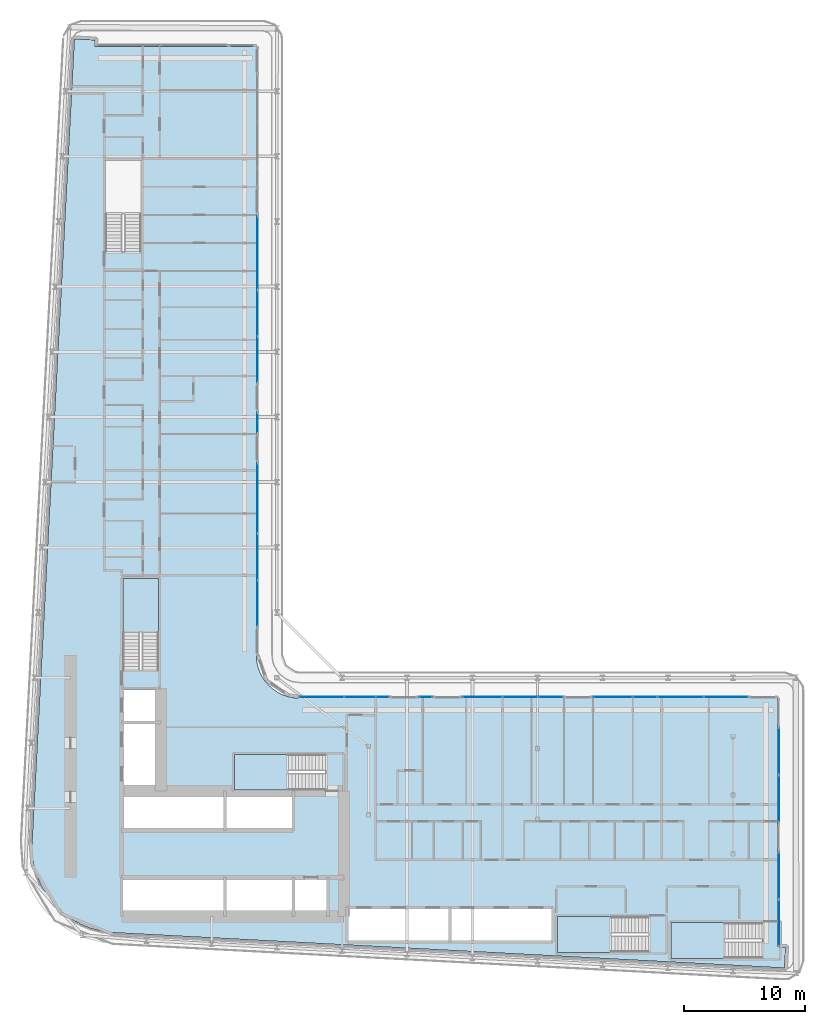
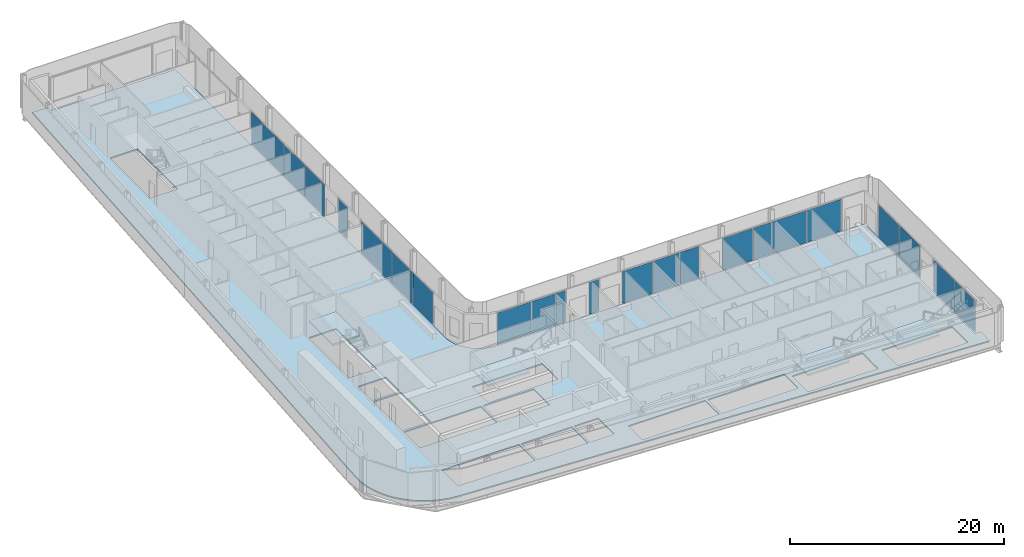
# One storey, part 9 of 24: 22 plates, 5 slabs, 17 elements without a shape of their own.
"""IFC4 building model written with IfcOpenShell, lengths in metres."""

from ifc_helpers import new_model, si_unit, direction, frame, origin, origin_2d, place, context, subcontext, project, spatial, polyline, rectangle, outline, extrude, material, layer, layer_set, type_object, element, aggregate, save


model = new_model("IFC4")

# Units and contexts
model_context = context("Model", 3, precision=1e-05, world=origin(), true_north=direction((0.0, 1.0)))
body_context = subcontext(model_context, "Body", "Model", "MODEL_VIEW")
ifc_project = project(units=[si_unit("LENGTHUNIT", "METRE"), si_unit("AREAUNIT", "SQUARE_METRE"), si_unit("VOLUMEUNIT", "CUBIC_METRE"), si_unit("PLANEANGLEUNIT", "RADIAN"), si_unit("MASSUNIT", "GRAM", prefix="KILO")], contexts=[model_context])

# Site, building, storey
site_placement = place(None, origin())
site = spatial("IfcSite", under=ifc_project, at=site_placement, CompositionType="ELEMENT")
building_placement = place(site_placement, origin())
building = spatial("IfcBuilding", under=site, at=building_placement, Name="Kheshtan School and Residences Tower", CompositionType="ELEMENT")
storey_placement = place(building_placement, frame((0.0, 0.0, 38.300048828125)))
storey = spatial("IfcBuildingStorey", under=building, at=storey_placement, Name="L08", CompositionType="ELEMENT", Elevation=38.300048828125)

# Curtain wall, plate
ifc_material_1 = material(Name="Clear low-e glass in thermally broken aluminium frame", Category="aluminium")
ifc_layer_1 = layer(ifc_material_1, 0.199951171875)
ifc_layer_set_1 = layer_set([ifc_layer_1], Name="Curtain wall CW-L")
curtain_wall_type = type_object("IfcCurtainWallType", Name="Curtain wall CW-L", PredefinedType="NOTDEFINED", material=ifc_layer_set_1)
curtain_wall_1_placement = place(storey_placement, origin())
curtain_wall_1 = element("IfcCurtainWall", 1, at=curtain_wall_1_placement, inside=storey, type_object=curtain_wall_type, Name="Curtain wall CWL8d", PredefinedType="NOTDEFINED")
ifc_layer_2 = layer(ifc_material_1, 0.031982421875)
ifc_layer_set_2 = layer_set([ifc_layer_2], Name="CW-L glass panel")
plate_type = type_object("IfcPlateType", Name="CW-L glass panel", PredefinedType="CURTAIN_PANEL", material=ifc_layer_set_2)
plate_1_placement = place(storey_placement, frame((46.0, 80.80908203125, 0.0), z_axis=(0.0, 0.0, 1.0), x_axis=(0.0, -1.0, 0.0)))
plate_1 = element("IfcPlate", 2, at=plate_1_placement, type_object=plate_type, Name="CWL8d panel 1.1", PredefinedType="CURTAIN_PANEL", context=body_context, shape_type="SweptSolid", body=[
    extrude(rectangle(XDim=6.073974609375, YDim=0.031982421875, at=origin_2d()), origin(), (0.0, 0.0, 1.0), 3.6298828125),
])
aggregate(curtain_wall_1, [plate_1])

# Curtain wall, plates
curtain_wall_2_placement = place(storey_placement, origin())
curtain_wall_2 = element("IfcCurtainWall", 3, at=curtain_wall_2_placement, inside=storey, type_object=curtain_wall_type, Name="Curtain wall CWL8", PredefinedType="NOTDEFINED")
plate_2_placement = place(storey_placement, frame((46.0, 75.803466796875, 0.0), z_axis=(0.0, 0.0, 1.0), x_axis=(0.0, -1.0, 0.0)))
plate_2 = element("IfcPlate", 4, at=plate_2_placement, type_object=plate_type, Name="CWL8 panel 1.1", PredefinedType="CURTAIN_PANEL", context=body_context, shape_type="SweptSolid", body=[
    extrude(rectangle(XDim=3.81689453125, YDim=0.031982421875, at=origin_2d()), origin(), (0.0, 0.0, 1.0), 3.6298828125),
])
plate_3_placement = place(storey_placement, frame((46.0, 71.95654296875, 0.0), z_axis=(0.0, 0.0, 1.0), x_axis=(0.0, -1.0, 0.0)))
plate_3 = element("IfcPlate", 5, at=plate_3_placement, type_object=plate_type, Name="CWL8 panel 2.1", PredefinedType="CURTAIN_PANEL", context=body_context, shape_type="SweptSolid", body=[
    extrude(rectangle(XDim=3.757080078125, YDim=0.031982421875, at=origin_2d()), origin(), (0.0, 0.0, 1.0), 3.6298828125),
])
aggregate(curtain_wall_2, [plate_2, plate_3])

# Curtain wall, plate
curtain_wall_3_placement = place(storey_placement, origin())
curtain_wall_3 = element("IfcCurtainWall", 6, at=curtain_wall_3_placement, inside=storey, type_object=curtain_wall_type, Name="Curtain wall CWL8e", PredefinedType="NOTDEFINED")
plate_4_placement = place(storey_placement, frame((46.0, 66.718017578125, 0.0), z_axis=(0.0, 0.0, 1.0), x_axis=(0.0, -1.0, 0.0)))
plate_4 = element("IfcPlate", 7, at=plate_4_placement, type_object=plate_type, Name="CWL8e panel 1.1", PredefinedType="CURTAIN_PANEL", context=body_context, shape_type="SweptSolid", body=[
    extrude(rectangle(XDim=1.679931640625, YDim=0.031982421875, at=origin_2d()), origin(), (0.0, 0.0, 1.0), 3.6298828125),
])
aggregate(curtain_wall_3, [plate_4])

curtain_wall_4_placement = place(storey_placement, origin())
curtain_wall_4 = element("IfcCurtainWall", 8, at=curtain_wall_4_placement, inside=storey, type_object=curtain_wall_type, Name="Curtain wall CWL8f", PredefinedType="NOTDEFINED")
plate_5_placement = place(storey_placement, frame((46.0, 60.470947265625, 0.0), z_axis=(0.0, 0.0, 1.0), x_axis=(0.0, -1.0, 0.0)))
plate_5 = element("IfcPlate", 9, at=plate_5_placement, type_object=plate_type, Name="CWL8f panel 1.1", PredefinedType="CURTAIN_PANEL", context=body_context, shape_type="SweptSolid", body=[
    extrude(rectangle(XDim=5.77392578125, YDim=0.031982421875, at=origin_2d()), origin(), (0.0, 0.0, 1.0), 3.6298828125),
])
aggregate(curtain_wall_4, [plate_5])

# Curtain wall, plates
curtain_wall_5_placement = place(storey_placement, origin())
curtain_wall_5 = element("IfcCurtainWall", 10, at=curtain_wall_5_placement, inside=storey, type_object=curtain_wall_type, Name="Curtain wall CWL8", PredefinedType="NOTDEFINED")
plate_6_placement = place(storey_placement, frame((46.0, 55.615478515625, 0.0), z_axis=(0.0, 0.0, 1.0), x_axis=(0.0, -1.0, 0.0)))
plate_6 = element("IfcPlate", 11, at=plate_6_placement, type_object=plate_type, Name="CWL8 panel 1.1", PredefinedType="CURTAIN_PANEL", context=body_context, shape_type="SweptSolid", body=[
    extrude(rectangle(XDim=3.81689453125, YDim=0.031982421875, at=origin_2d()), origin(), (0.0, 0.0, 1.0), 3.6298828125),
])
plate_7_placement = place(storey_placement, frame((46.0, 51.7685546875, 0.0), z_axis=(0.0, 0.0, 1.0), x_axis=(0.0, -1.0, 0.0)))
plate_7 = element("IfcPlate", 12, at=plate_7_placement, type_object=plate_type, Name="CWL8 panel 2.1", PredefinedType="CURTAIN_PANEL", context=body_context, shape_type="SweptSolid", body=[
    extrude(rectangle(XDim=3.757080078125, YDim=0.031982421875, at=origin_2d()), origin(), (0.0, 0.0, 1.0), 3.6298828125),
])
aggregate(curtain_wall_5, [plate_6, plate_7])

curtain_wall_6_placement = place(storey_placement, origin())
curtain_wall_6 = element("IfcCurtainWall", 13, at=curtain_wall_6_placement, inside=storey, type_object=curtain_wall_type, Name="Curtain wall CWL12", PredefinedType="NOTDEFINED")
plate_8_placement = place(storey_placement, frame((51.324462890625, 44.0, 0.0), z_axis=(0.0, 0.0, 1.0), x_axis=(1.0, 0.0, 0.0)))
plate_8 = element("IfcPlate", 14, at=plate_8_placement, type_object=plate_type, Name="CWL12 panel 1.1", PredefinedType="CURTAIN_PANEL", context=body_context, shape_type="SweptSolid", body=[
    extrude(rectangle(XDim=3.668701171875, YDim=0.031982421875, at=origin_2d()), origin(), (0.0, 0.0, 1.0), 3.6298828125),
])
plate_9_placement = place(storey_placement, frame((54.494384765625, 44.0, 0.0), z_axis=(0.0, 0.0, 1.0), x_axis=(1.0, 0.0, 0.0)))
plate_9 = element("IfcPlate", 15, at=plate_9_placement, type_object=plate_type, Name="CWL12 panel 2.1", PredefinedType="CURTAIN_PANEL", context=body_context, shape_type="SweptSolid", body=[
    extrude(rectangle(XDim=2.55126953125, YDim=0.031982421875, at=origin_2d()), origin(), (0.0, 0.0, 1.0), 3.6298828125),
])
plate_10_placement = place(storey_placement, frame((56.358642578125, 44.0, 0.0), z_axis=(0.0, 0.0, 1.0), x_axis=(1.0, 0.0, 0.0)))
plate_10 = element("IfcPlate", 16, at=plate_10_placement, type_object=plate_type, Name="CWL12 panel 3.1", PredefinedType="CURTAIN_PANEL", context=body_context, shape_type="SweptSolid", body=[
    extrude(rectangle(XDim=1.0576171875, YDim=0.031982421875, at=origin_2d()), origin(), (0.0, 0.0, 1.0), 3.6298828125),
])
aggregate(curtain_wall_6, [plate_8, plate_9, plate_10])

# Curtain wall, plate
curtain_wall_7_placement = place(storey_placement, origin())
curtain_wall_7 = element("IfcCurtainWall", 17, at=curtain_wall_7_placement, inside=storey, type_object=curtain_wall_type, Name="Curtain wall CWL12b", PredefinedType="NOTDEFINED")
plate_11_placement = place(storey_placement, frame((59.947509765625, 44.0, 0.0), z_axis=(0.0, 0.0, 1.0), x_axis=(1.0, 0.0, 0.0)))
plate_11 = element("IfcPlate", 18, at=plate_11_placement, type_object=plate_type, Name="CWL12b panel 1.1", PredefinedType="CURTAIN_PANEL", context=body_context, shape_type="SweptSolid", body=[
    extrude(rectangle(XDim=1.080078125, YDim=0.031982421875, at=origin_2d()), origin(), (0.0, 0.0, 1.0), 3.6298828125),
])
aggregate(curtain_wall_7, [plate_11])

# Curtain wall, plates
curtain_wall_8_placement = place(storey_placement, origin())
curtain_wall_8 = element("IfcCurtainWall", 19, at=curtain_wall_8_placement, inside=storey, type_object=curtain_wall_type, Name="Curtain wall CWL12c", PredefinedType="NOTDEFINED")
plate_12_placement = place(storey_placement, frame((64.638671875, 44.0, 0.0), z_axis=(0.0, 0.0, 1.0), x_axis=(1.0, 0.0, 0.0)))
plate_12 = element("IfcPlate", 20, at=plate_12_placement, type_object=plate_type, Name="CWL12c panel 1.1", PredefinedType="CURTAIN_PANEL", context=body_context, shape_type="SweptSolid", body=[
    extrude(rectangle(XDim=3.262451171875, YDim=0.031982421875, at=origin_2d()), origin(), (0.0, 0.0, 1.0), 3.6298828125),
])
plate_13_placement = place(storey_placement, frame((67.767578125, 44.0, 0.0), z_axis=(0.0, 0.0, 1.0), x_axis=(1.0, 0.0, 0.0)))
plate_13 = element("IfcPlate", 21, at=plate_13_placement, type_object=plate_type, Name="CWL12c panel 2.1", PredefinedType="CURTAIN_PANEL", context=body_context, shape_type="SweptSolid", body=[
    extrude(rectangle(XDim=2.875, YDim=0.031982421875, at=origin_2d()), origin(), (0.0, 0.0, 1.0), 3.6298828125),
])
aggregate(curtain_wall_8, [plate_12, plate_13])

# Curtain wall, plate
curtain_wall_9_placement = place(storey_placement, origin())
curtain_wall_9 = element("IfcCurtainWall", 22, at=curtain_wall_9_placement, inside=storey, type_object=curtain_wall_type, Name="Curtain wall CWL12d", PredefinedType="NOTDEFINED")
plate_14_placement = place(storey_placement, frame((70.284912109375, 44.0, 0.0), z_axis=(0.0, 0.0, 1.0), x_axis=(1.0, 0.0, 0.0)))
plate_14 = element("IfcPlate", 23, at=plate_14_placement, type_object=plate_type, Name="CWL12d panel 1.1", PredefinedType="CURTAIN_PANEL", context=body_context, shape_type="SweptSolid", body=[
    extrude(rectangle(XDim=2.0400390625, YDim=0.031982421875, at=origin_2d()), origin(), (0.0, 0.0, 1.0), 3.6298828125),
])
aggregate(curtain_wall_9, [plate_14])

# Curtain wall, plates
curtain_wall_10_placement = place(storey_placement, origin())
curtain_wall_10 = element("IfcCurtainWall", 24, at=curtain_wall_10_placement, inside=storey, type_object=curtain_wall_type, Name="Curtain wall CWL12e", PredefinedType="NOTDEFINED")
plate_15_placement = place(storey_placement, frame((75.447509765625, 44.0, 0.0), z_axis=(0.0, 0.0, 1.0), x_axis=(1.0, 0.0, 0.0)))
plate_15 = element("IfcPlate", 25, at=plate_15_placement, type_object=plate_type, Name="CWL12e panel 1.1", PredefinedType="CURTAIN_PANEL", context=body_context, shape_type="SweptSolid", body=[
    extrude(rectangle(XDim=3.2451171875, YDim=0.031982421875, at=origin_2d()), origin(), (0.0, 0.0, 1.0), 3.6298828125),
])
plate_16_placement = place(storey_placement, frame((78.126220703125, 44.0, 0.0), z_axis=(0.0, 0.0, 1.0), x_axis=(1.0, 0.0, 0.0)))
plate_16 = element("IfcPlate", 26, at=plate_16_placement, type_object=plate_type, Name="CWL12e panel 2.1", PredefinedType="CURTAIN_PANEL", context=body_context, shape_type="SweptSolid", body=[
    extrude(rectangle(XDim=1.992431640625, YDim=0.031982421875, at=origin_2d()), origin(), (0.0, 0.0, 1.0), 3.6298828125),
])
aggregate(curtain_wall_10, [plate_15, plate_16])

curtain_wall_11_placement = place(storey_placement, origin())
curtain_wall_11 = element("IfcCurtainWall", 27, at=curtain_wall_11_placement, inside=storey, type_object=curtain_wall_type, Name="Curtain wall CWL12a", PredefinedType="NOTDEFINED")
plate_17_placement = place(storey_placement, frame((81.046875, 44.0, 0.0), z_axis=(0.0, 0.0, 1.0), x_axis=(1.0, 0.0, 0.0)))
plate_17 = element("IfcPlate", 28, at=plate_17_placement, type_object=plate_type, Name="CWL12a panel 1.1", PredefinedType="CURTAIN_PANEL", context=body_context, shape_type="SweptSolid", body=[
    extrude(rectangle(XDim=3.728759765625, YDim=0.031982421875, at=origin_2d()), origin(), (0.0, 0.0, 1.0), 3.6298828125),
])
plate_18_placement = place(storey_placement, frame((84.8056640625, 44.0, 0.0), z_axis=(0.0, 0.0, 1.0), x_axis=(1.0, 0.0, 0.0)))
plate_18 = element("IfcPlate", 29, at=plate_18_placement, type_object=plate_type, Name="CWL12a panel 2.1", PredefinedType="CURTAIN_PANEL", context=body_context, shape_type="SweptSolid", body=[
    extrude(rectangle(XDim=3.668701171875, YDim=0.031982421875, at=origin_2d()), origin(), (0.0, 0.0, 1.0), 3.6298828125),
])
aggregate(curtain_wall_11, [plate_17, plate_18])

curtain_wall_12_placement = place(storey_placement, origin())
curtain_wall_12 = element("IfcCurtainWall", 30, at=curtain_wall_12_placement, inside=storey, type_object=curtain_wall_type, Name="Curtain wall CWL13", PredefinedType="NOTDEFINED")
plate_19_placement = place(storey_placement, frame((89.199951171875, 39.5078125, 0.0), z_axis=(0.0, 0.0, 1.0), x_axis=(0.0, -1.0, 0.0)))
plate_19 = element("IfcPlate", 31, at=plate_19_placement, type_object=plate_type, Name="CWL13 panel 1.1", PredefinedType="CURTAIN_PANEL", context=body_context, shape_type="SweptSolid", body=[
    extrude(rectangle(XDim=3.8642578125, YDim=0.031982421875, at=origin_2d()), origin(), (0.0, 0.0, 1.0), 3.6298828125),
])
plate_20_placement = place(storey_placement, frame((89.199951171875, 35.583740234375, 0.0), z_axis=(0.0, 0.0, 1.0), x_axis=(0.0, -1.0, 0.0)))
plate_20 = element("IfcPlate", 32, at=plate_20_placement, type_object=plate_type, Name="CWL13 panel 2.1", PredefinedType="CURTAIN_PANEL", context=body_context, shape_type="SweptSolid", body=[
    extrude(rectangle(XDim=3.8642578125, YDim=0.031982421875, at=origin_2d()), origin(), (0.0, 0.0, 1.0), 3.6298828125),
])
aggregate(curtain_wall_12, [plate_19, plate_20])

curtain_wall_13_placement = place(storey_placement, origin())
curtain_wall_13 = element("IfcCurtainWall", 33, at=curtain_wall_13_placement, inside=storey, type_object=curtain_wall_type, Name="Curtain wall CWL13", PredefinedType="NOTDEFINED")
plate_21_placement = place(storey_placement, frame((89.199951171875, 29.199462890625, 0.0), z_axis=(0.0, 0.0, 1.0), x_axis=(0.0, -1.0, 0.0)))
plate_21 = element("IfcPlate", 34, at=plate_21_placement, type_object=plate_type, Name="CWL13 panel 1.1", PredefinedType="CURTAIN_PANEL", context=body_context, shape_type="SweptSolid", body=[
    extrude(rectangle(XDim=3.8642578125, YDim=0.031982421875, at=origin_2d()), origin(), (0.0, 0.0, 1.0), 3.6298828125),
])
plate_22_placement = place(storey_placement, frame((89.199951171875, 25.275146484375, 0.0), z_axis=(0.0, 0.0, 1.0), x_axis=(0.0, -1.0, 0.0)))
plate_22 = element("IfcPlate", 35, at=plate_22_placement, type_object=plate_type, Name="CWL13 panel 2.1", PredefinedType="CURTAIN_PANEL", context=body_context, shape_type="SweptSolid", body=[
    extrude(rectangle(XDim=3.8642578125, YDim=0.031982421875, at=origin_2d()), origin(), (0.0, 0.0, 1.0), 3.6298828125),
])
aggregate(curtain_wall_13, [plate_21, plate_22])

# Slab
ifc_material_2 = material(Name="Concrete C40/50", Category="concrete")
ifc_layer_3 = layer(ifc_material_2, 0.14990234375)
ifc_layer_set_3 = layer_set([ifc_layer_3], Name="Floor slab 150 Concrete C40/50")
slab_type_1 = type_object("IfcSlabType", Name="Floor slab 150 Concrete C40/50", PredefinedType="FLOOR", material=ifc_layer_set_3)
slab_1_placement = place(storey_placement, frame((0.0, 0.0, -0.150146484375)))
element("IfcSlab", 36, at=slab_1_placement, inside=storey, type_object=slab_type_1, Name="Floor slab L08", PredefinedType="FLOOR", context=body_context, shape_type="SweptSolid", body=[
    extrude(outline(polyline([(27.718017578125, 29.200927734375), (27.466064453125, 30.093017578125), (27.466064453125, 30.093994140625), (27.3330078125, 31.013916015625), (27.320068359375, 31.965087890625), (27.320068359375, 31.970947265625), (30.822021484375, 98.5009765625), (30.822998046875, 98.508056640625), (30.825927734375, 98.531005859375), (30.825927734375, 98.531982421875), (30.826904296875, 98.531982421875), (31.422119140625, 98.5), (31.423095703125, 98.5), (31.423095703125, 98.4990234375), (31.423095703125, 98.4951171875), (31.423095703125, 98.493896484375), (31.424072265625, 98.493896484375), (31.424072265625, 98.492919921875), (31.425048828125, 98.492919921875), (31.426025390625, 98.492919921875), (31.426025390625, 98.493896484375), (31.427978515625, 98.49609375), (31.428955078125, 98.4970703125), (31.429931640625, 98.498046875), (31.430908203125, 98.498046875), (31.430908203125, 98.4990234375), (31.431884765625, 98.4990234375), (31.431884765625, 98.5), (31.43505859375, 98.5009765625), (31.43603515625, 98.501953125), (31.43896484375, 98.501953125), (31.43994140625, 98.501953125), (31.43994140625, 98.5029296875), (31.44091796875, 98.5029296875), (31.446044921875, 98.5029296875), (32.5009765625, 98.447021484375), (32.50390625, 98.447021484375), (32.5048828125, 98.447021484375), (32.5048828125, 98.446044921875), (32.506103515625, 98.446044921875), (32.510009765625, 98.446044921875), (32.510009765625, 98.445068359375), (32.510986328125, 98.445068359375), (32.510986328125, 98.444091796875), (32.511962890625, 98.444091796875), (32.511962890625, 98.443115234375), (32.512939453125, 98.443115234375), (32.513916015625, 98.443115234375), (32.513916015625, 98.44189453125), (32.514892578125, 98.44189453125), (32.51611328125, 98.44189453125), (32.51904296875, 98.43896484375), (32.51904296875, 98.43798828125), (32.51904296875, 98.43701171875), (32.52001953125, 98.43701171875), (32.52001953125, 98.43603515625), (32.52099609375, 98.43603515625), (32.52099609375, 98.43408203125), (32.52099609375, 98.43310546875), (32.52197265625, 98.43310546875), (32.52197265625, 98.431884765625), (32.52294921875, 98.431884765625), (32.52294921875, 98.430908203125), (32.52294921875, 98.428955078125), (32.52294921875, 98.427978515625), (32.52392578125, 98.427978515625), (32.52392578125, 98.427001953125), (32.52392578125, 98.422119140625), (32.4970703125, 97.9208984375), (32.4970703125, 97.91796875), (32.4970703125, 97.9169921875), (32.49609375, 97.9169921875), (32.49609375, 97.916015625), (32.49609375, 97.912109375), (32.4951171875, 97.910888671875), (32.4951171875, 97.909912109375), (32.493896484375, 97.909912109375), (32.493896484375, 97.908935546875), (32.492919921875, 97.908935546875), (32.492919921875, 97.907958984375), (32.489013671875, 97.904052734375), (32.488037109375, 97.904052734375), (32.488037109375, 97.903076171875), (32.488037109375, 97.902099609375), (32.488037109375, 97.90087890625), (32.489013671875, 97.90087890625), (32.489013671875, 97.89990234375), (32.489990234375, 97.89990234375), (45.85498046875, 97.89990234375), (45.864990234375, 97.89794921875), (45.865966796875, 97.89794921875), (45.868896484375, 97.89599609375), (45.8740234375, 97.89404296875), (45.8779296875, 97.89208984375), (45.881103515625, 97.889892578125), (45.881103515625, 97.888916015625), (45.882080078125, 97.888916015625), (45.882080078125, 97.887939453125), (45.883056640625, 97.887939453125), (45.884033203125, 97.885009765625), (45.885009765625, 97.885009765625), (45.885009765625, 97.884033203125), (45.887939453125, 97.883056640625), (45.887939453125, 97.882080078125), (45.888916015625, 97.882080078125), (45.888916015625, 97.881103515625), (45.889892578125, 97.881103515625), (45.89208984375, 97.8779296875), (45.89404296875, 97.8740234375), (45.89599609375, 97.868896484375), (45.89794921875, 97.865966796875), (45.89794921875, 97.864990234375), (45.89990234375, 97.85498046875), (45.89990234375, 47.429931640625), (45.927001953125, 47.030029296875), (46.01806640625, 46.570068359375), (46.01806640625, 46.569091796875), (46.169921875, 46.1201171875), (46.37890625, 45.697021484375), (46.638916015625, 45.30810546875), (46.949951171875, 44.950927734375), (46.950927734375, 44.949951171875), (47.30810546875, 44.638916015625), (47.697021484375, 44.37890625), (48.1201171875, 44.169921875), (48.569091796875, 44.01806640625), (48.570068359375, 44.01806640625), (49.030029296875, 43.927001953125), (49.429931640625, 43.89990234375), (89.054931640625, 43.89990234375), (89.06494140625, 43.89794921875), (89.06591796875, 43.89794921875), (89.069091796875, 43.89599609375), (89.073974609375, 43.89404296875), (89.077880859375, 43.89208984375), (89.0810546875, 43.889892578125), (89.0810546875, 43.888916015625), (89.08203125, 43.888916015625), (89.08203125, 43.887939453125), (89.0830078125, 43.887939453125), (89.083984375, 43.885009765625), (89.0849609375, 43.885009765625), (89.0849609375, 43.884033203125), (89.087890625, 43.883056640625), (89.087890625, 43.882080078125), (89.089111328125, 43.882080078125), (89.089111328125, 43.881103515625), (89.090087890625, 43.881103515625), (89.092041015625, 43.8779296875), (89.093994140625, 43.8740234375), (89.095947265625, 43.868896484375), (89.097900390625, 43.865966796875), (89.097900390625, 43.864990234375), (89.10009765625, 43.85498046875), (89.10009765625, 23.278076171875), (89.10009765625, 23.277099609375), (89.10107421875, 23.277099609375), (89.10107421875, 23.27587890625), (89.10205078125, 23.27587890625), (89.10302734375, 23.27587890625), (89.10302734375, 23.277099609375), (89.10498046875, 23.279052734375), (89.10595703125, 23.280029296875), (89.10693359375, 23.281005859375), (89.10791015625, 23.281005859375), (89.10791015625, 23.281982421875), (89.10888671875, 23.281982421875), (89.10888671875, 23.282958984375), (89.110107421875, 23.282958984375), (89.112060546875, 23.283935546875), (89.113037109375, 23.284912109375), (89.115966796875, 23.284912109375), (89.116943359375, 23.284912109375), (89.116943359375, 23.285888671875), (89.117919921875, 23.285888671875), (89.123046875, 23.285888671875), (89.738037109375, 23.2529296875), (89.740966796875, 23.2529296875), (89.741943359375, 23.2529296875), (89.741943359375, 23.251953125), (89.742919921875, 23.251953125), (89.7470703125, 23.251953125), (89.7470703125, 23.2509765625), (89.748046875, 23.2509765625), (89.748046875, 23.25), (89.7490234375, 23.25), (89.7490234375, 23.2490234375), (89.75, 23.2490234375), (89.7509765625, 23.2490234375), (89.7509765625, 23.248046875), (89.751953125, 23.248046875), (89.7529296875, 23.248046875), (89.7529296875, 23.2470703125), (89.7548828125, 23.2451171875), (89.756103515625, 23.2451171875), (89.756103515625, 23.243896484375), (89.756103515625, 23.242919921875), (89.757080078125, 23.242919921875), (89.757080078125, 23.241943359375), (89.758056640625, 23.241943359375), (89.758056640625, 23.239990234375), (89.758056640625, 23.239013671875), (89.759033203125, 23.239013671875), (89.759033203125, 23.238037109375), (89.760009765625, 23.238037109375), (89.760009765625, 23.237060546875), (89.760009765625, 23.235107421875), (89.760009765625, 23.23388671875), (89.760986328125, 23.23388671875), (89.760986328125, 23.23291015625), (89.760986328125, 23.22802734375), (89.705078125, 22.169921875), (89.705078125, 22.1669921875), (89.705078125, 22.166015625), (89.7041015625, 22.166015625), (89.7041015625, 22.1650390625), (89.7041015625, 22.160888671875), (89.702880859375, 22.159912109375), (89.702880859375, 22.158935546875), (89.701904296875, 22.158935546875), (89.701904296875, 22.157958984375), (89.700927734375, 22.157958984375), (89.700927734375, 22.156982421875), (89.699951171875, 22.156005859375), (89.697998046875, 22.154052734375), (89.697021484375, 22.153076171875), (89.696044921875, 22.153076171875), (89.696044921875, 22.152099609375), (89.696044921875, 22.15087890625), (89.696044921875, 22.14990234375), (89.697021484375, 22.14990234375), (89.697021484375, 22.14892578125), (89.697998046875, 22.14892578125), (89.698974609375, 22.14892578125), (89.699951171875, 22.14892578125), (89.699951171875, 22.14794921875), (89.66796875, 21.553955078125), (89.66796875, 21.552978515625), (89.6669921875, 21.552978515625), (89.64306640625, 21.552001953125), (89.637939453125, 21.552001953125), (34.056884765625, 24.47802734375), (33.114990234375, 24.590087890625), (32.215087890625, 24.819091796875), (32.214111328125, 24.819091796875), (31.35205078125, 25.1630859375), (30.541015625, 25.616943359375), (29.799072265625, 26.1708984375), (29.799072265625, 26.172119140625), (29.798095703125, 26.172119140625), (29.134033203125, 26.820068359375), (29.134033203125, 26.821044921875), (29.133056640625, 26.821044921875), (28.55908203125, 27.550048828125), (28.0849609375, 28.345947265625), (27.718017578125, 29.200927734375)]), holes=[polyline([(89.10009765625, 22.155029296875), (89.10009765625, 22.15087890625), (89.10009765625, 22.14990234375), (89.10107421875, 22.14990234375), (89.10107421875, 22.14892578125), (89.10205078125, 22.14892578125), (89.10595703125, 22.14892578125), (89.10693359375, 22.14892578125), (89.10693359375, 22.14990234375), (89.10791015625, 22.14990234375), (89.10791015625, 22.15087890625), (89.10791015625, 22.152099609375), (89.10693359375, 22.152099609375), (89.10595703125, 22.153076171875), (89.10498046875, 22.154052734375), (89.10400390625, 22.155029296875), (89.10302734375, 22.156005859375), (89.10302734375, 22.156982421875), (89.10205078125, 22.156982421875), (89.10107421875, 22.156982421875), (89.10107421875, 22.156005859375), (89.10009765625, 22.156005859375), (89.10009765625, 22.155029296875)]), polyline([(31.423095703125, 97.906005859375), (31.423095703125, 97.902099609375), (31.423095703125, 97.90087890625), (31.424072265625, 97.90087890625), (31.424072265625, 97.89990234375), (31.425048828125, 97.89990234375), (31.428955078125, 97.89990234375), (31.429931640625, 97.89990234375), (31.429931640625, 97.90087890625), (31.430908203125, 97.90087890625), (31.430908203125, 97.902099609375), (31.430908203125, 97.903076171875), (31.429931640625, 97.903076171875), (31.428955078125, 97.904052734375), (31.427978515625, 97.905029296875), (31.427001953125, 97.906005859375), (31.426025390625, 97.906982421875), (31.426025390625, 97.907958984375), (31.425048828125, 97.907958984375), (31.424072265625, 97.907958984375), (31.424072265625, 97.906982421875), (31.423095703125, 97.906982421875), (31.423095703125, 97.906005859375)]), polyline([(34.875, 28.925048828125), (34.875, 25.925048828125), (43.175048828125, 25.925048828125), (43.175048828125, 28.925048828125), (34.875, 28.925048828125)]), polyline([(43.425048828125, 25.925048828125), (48.875, 25.925048828125), (48.875, 28.925048828125), (43.425048828125, 28.925048828125), (43.425048828125, 25.925048828125)]), polyline([(43.175048828125, 36.074951171875), (34.875, 36.074951171875), (34.875, 33.074951171875), (43.175048828125, 33.074951171875), (43.175048828125, 36.074951171875)]), polyline([(34.875, 41.77490234375), (34.875, 36.324951171875), (37.875, 36.324951171875), (37.875, 41.77490234375), (34.875, 41.77490234375)]), polyline([(34.875, 44.625), (34.875, 42.02490234375), (37.875, 42.02490234375), (37.875, 44.625), (34.875, 44.625)]), polyline([(37.800048828125, 46.25), (37.800048828125, 53.81005859375), (34.85009765625, 53.81005859375), (34.85009765625, 46.260009765625), (36.25, 46.260009765625), (36.25, 46.25), (37.800048828125, 46.25)]), polyline([(33.39990234375, 88.4599609375), (33.39990234375, 80.909912109375), (34.800048828125, 80.909912109375), (34.800048828125, 80.89990234375), (36.35009765625, 80.89990234375), (36.35009765625, 88.4599609375), (33.39990234375, 88.4599609375)]), polyline([(87.81005859375, 22.35009765625), (87.81005859375, 23.75), (87.820068359375, 23.75), (87.820068359375, 25.300048828125), (80.260009765625, 25.300048828125), (80.260009765625, 22.35009765625), (87.81005859375, 22.35009765625)]), polyline([(70.85009765625, 22.85009765625), (78.39990234375, 22.85009765625), (78.39990234375, 24.25), (78.409912109375, 24.25), (78.409912109375, 25.800048828125), (70.85009765625, 25.800048828125), (70.85009765625, 22.85009765625)]), polyline([(61.824951171875, 26.425048828125), (53.52490234375, 26.425048828125), (53.52490234375, 23.824951171875), (61.824951171875, 23.824951171875), (61.824951171875, 26.425048828125)]), polyline([(62.074951171875, 23.824951171875), (70.375, 23.824951171875), (70.375, 26.425048828125), (62.074951171875, 26.425048828125), (62.074951171875, 23.824951171875)]), polyline([(49.125, 28.925048828125), (49.125, 25.925048828125), (51.72509765625, 25.925048828125), (51.72509765625, 28.925048828125), (49.125, 28.925048828125)]), polyline([(43.425048828125, 33.074951171875), (48.875, 33.074951171875), (48.875, 36.074951171875), (43.425048828125, 36.074951171875), (43.425048828125, 33.074951171875)]), polyline([(51.64990234375, 39.25), (44.090087890625, 39.25), (44.090087890625, 36.300048828125), (51.639892578125, 36.300048828125), (51.639892578125, 37.699951171875), (51.64990234375, 37.699951171875), (51.64990234375, 39.25)])]), origin(), (0.0, 0.0, 1.0), 0.150146484375),
])

# Stair, slab
stair_type = type_object("IfcStairType", Name="Exit stair, half-turn", PredefinedType="HALF_TURN_STAIR", material=ifc_material_2)
stair_1_placement = place(storey_placement, origin())
stair_1 = element("IfcStair", 37, at=stair_1_placement, inside=storey, type_object=stair_type, Name="L08 Protected Exit Stair ST1", PredefinedType="HALF_TURN_STAIR")
ifc_layer_4 = layer(ifc_material_2, 0.199951171875)
ifc_layer_set_4 = layer_set([ifc_layer_4], Name="Stair landing 200 Concrete C40/50")
slab_type_2 = type_object("IfcSlabType", Name="Stair landing 200 Concrete C40/50", PredefinedType="LANDING", material=ifc_layer_set_4)
slab_2_placement = place(storey_placement, frame((0.0, 0.0, 1.75)))
slab_2 = element("IfcSlab", 38, at=slab_2_placement, type_object=slab_type_2, Name="ST1 landing 1", PredefinedType="LANDING", context=body_context, shape_type="SweptSolid", body=[
    extrude(outline(polyline([(48.570068359375, 39.25), (44.090087890625, 39.25), (44.090087890625, 36.300048828125), (48.570068359375, 36.300048828125), (48.570068359375, 39.25)])), origin(), (0.0, 0.0, 1.0), 0.199951171875),
])
aggregate(stair_1, [slab_2])

stair_2_placement = place(storey_placement, origin())
stair_2 = element("IfcStair", 39, at=stair_2_placement, inside=storey, type_object=stair_type, Name="L08 Protected Exit Stair ST2", PredefinedType="HALF_TURN_STAIR")
slab_3_placement = place(storey_placement, frame((0.0, 0.0, 1.75)))
slab_3 = element("IfcSlab", 40, at=slab_3_placement, type_object=slab_type_2, Name="ST2 landing 1", PredefinedType="LANDING", context=body_context, shape_type="SweptSolid", body=[
    extrude(outline(polyline([(37.800048828125, 49.330078125), (37.800048828125, 53.81005859375), (34.85009765625, 53.81005859375), (34.85009765625, 49.330078125), (37.800048828125, 49.330078125)])), origin(), (0.0, 0.0, 1.0), 0.199951171875),
])
aggregate(stair_2, [slab_3])

stair_3_placement = place(storey_placement, origin())
stair_3 = element("IfcStair", 41, at=stair_3_placement, inside=storey, type_object=stair_type, Name="L08 Protected Exit Stair ST4", PredefinedType="HALF_TURN_STAIR")
slab_4_placement = place(storey_placement, frame((0.0, 0.0, 1.75)))
slab_4 = element("IfcSlab", 42, at=slab_4_placement, type_object=slab_type_2, Name="ST4 landing 1", PredefinedType="LANDING", context=body_context, shape_type="SweptSolid", body=[
    extrude(outline(polyline([(84.739990234375, 25.300048828125), (80.260009765625, 25.300048828125), (80.260009765625, 22.35009765625), (84.739990234375, 22.35009765625), (84.739990234375, 25.300048828125)])), origin(), (0.0, 0.0, 1.0), 0.199951171875),
])
aggregate(stair_3, [slab_4])

stair_4_placement = place(storey_placement, origin())
stair_4 = element("IfcStair", 43, at=stair_4_placement, inside=storey, type_object=stair_type, Name="L08 Protected Exit Stair ST5", PredefinedType="HALF_TURN_STAIR")
slab_5_placement = place(storey_placement, frame((0.0, 0.0, 1.75)))
slab_5 = element("IfcSlab", 44, at=slab_5_placement, type_object=slab_type_2, Name="ST5 landing 1", PredefinedType="LANDING", context=body_context, shape_type="SweptSolid", body=[
    extrude(outline(polyline([(75.330078125, 25.800048828125), (70.85009765625, 25.800048828125), (70.85009765625, 22.85009765625), (75.330078125, 22.85009765625), (75.330078125, 25.800048828125)])), origin(), (0.0, 0.0, 1.0), 0.199951171875),
])
aggregate(stair_4, [slab_5])

save(model, "model.ifc")
